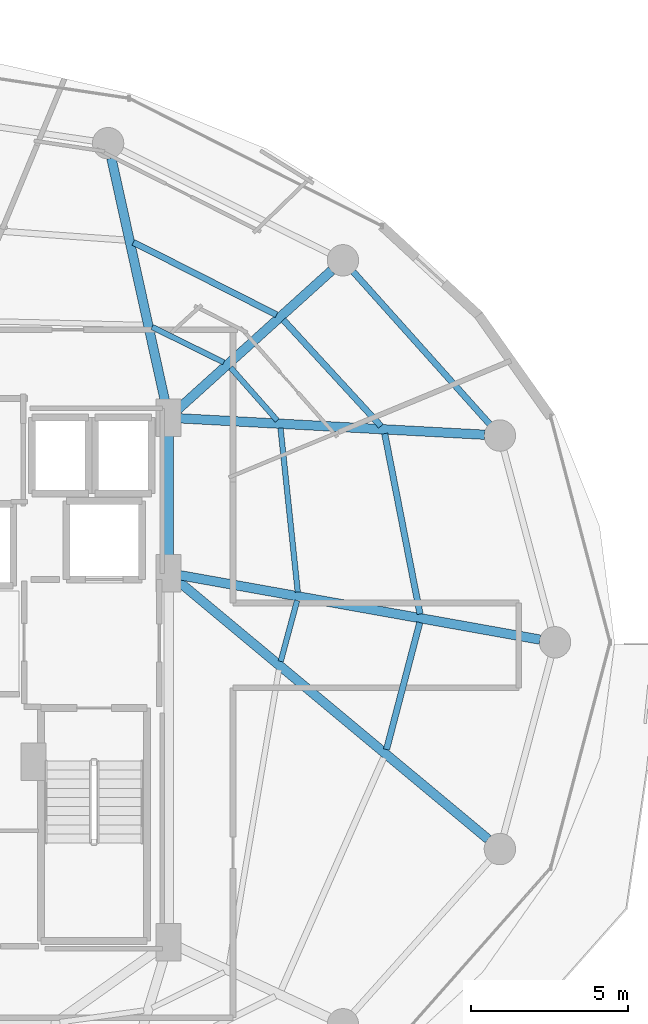
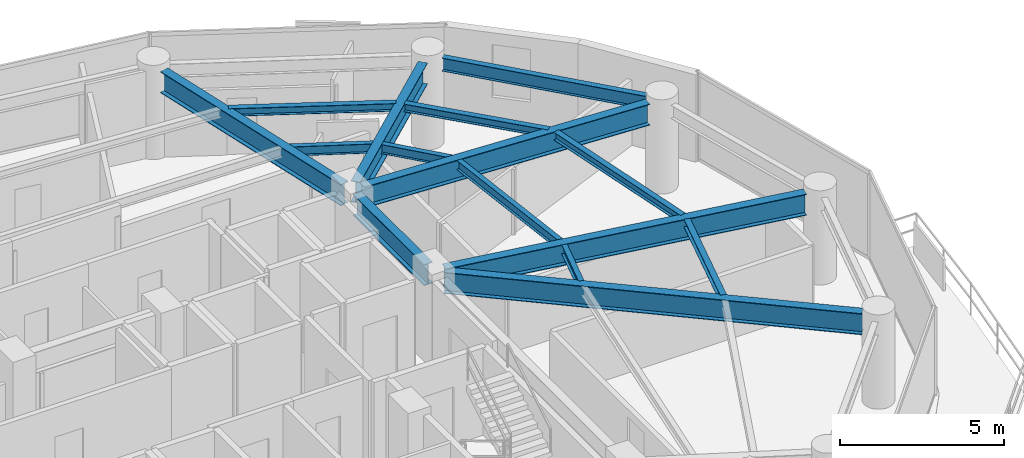
# One storey, part 14 of 29: 15 beams.
"""IFC4 building model written with IfcOpenShell, lengths in metres."""

from ifc_helpers import new_model, si_unit, direction, frame, origin, origin_2d, place, context, subcontext, project, spatial, i_section, extrude, material, material_profile, profile_set, type_object, element, save


model = new_model("IFC4")

# Units and contexts
model_context = context("Model", 3, precision=1e-05, world=origin(), true_north=direction((0.0, 1.0)))
body_context = subcontext(model_context, "Body", "Model", "MODEL_VIEW")
ifc_project = project(units=[si_unit("LENGTHUNIT", "METRE"), si_unit("AREAUNIT", "SQUARE_METRE"), si_unit("VOLUMEUNIT", "CUBIC_METRE"), si_unit("PLANEANGLEUNIT", "RADIAN"), si_unit("MASSUNIT", "GRAM", prefix="KILO")], contexts=[model_context])

# Site, building, storey
site_placement = place(None, origin())
site = spatial("IfcSite", under=ifc_project, at=site_placement, CompositionType="ELEMENT")
building_placement = place(site_placement, origin())
building = spatial("IfcBuilding", under=site, at=building_placement, Name="Vorneva Point Tower", CompositionType="ELEMENT")
storey_placement = place(building_placement, frame((0.0, 0.0, 167.60009765625)))
storey = spatial("IfcBuildingStorey", under=building, at=storey_placement, Name="L45", CompositionType="ELEMENT", Elevation=167.60009765625)

# Beams
ifc_material = material(Name="Steel S355", Category="steel")
ifc_material_profile_1 = material_profile(ifc_material, i_section(OverallWidth=0.300048828125, OverallDepth=0.7880859375, WebThickness=0.014404296875, FlangeThickness=0.02197265625, at=origin_2d()), Name="80Sh1")
ifc_profile_set_1 = profile_set([ifc_material_profile_1], Name="Steel S355")
beam_type_1 = type_object("IfcBeamType", Name="BM-GRD-80Sh1", PredefinedType="USERDEFINED", material=ifc_profile_set_1)
beam_1_placement = place(storey_placement, frame((60.569580078125, 26.0859375, 2.845947265625), z_axis=(-0.984378132756, 0.176067293249, 0.0), x_axis=(-0.176067293249, -0.984378132756, 0.0)))
element("IfcBeam", 1, at=beam_1_placement, inside=storey, type_object=beam_type_1, Name="L45 Radial Primary Girder 01", ObjectType="GIRDER", PredefinedType="USERDEFINED", context=body_context, shape_type="SweptSolid", body=[
    extrude(i_section(OverallWidth=0.300048828125, OverallDepth=0.7880859375, WebThickness=0.014404296875, FlangeThickness=0.02197265625, at=origin_2d()), origin(), (0.0, 0.0, 1.0), 11.667236328125),
])
beam_2_placement = place(storey_placement, frame((58.80810546875, 32.6083984375, 2.845947265625), z_axis=(-0.998554051908, 0.053756910424, 0.0), x_axis=(-0.053756910424, -0.998554051908, 0.0)))
element("IfcBeam", 2, at=beam_2_placement, inside=storey, type_object=beam_type_1, Name="L45 Radial Primary Girder 02", ObjectType="GIRDER", PredefinedType="USERDEFINED", context=body_context, shape_type="SweptSolid", body=[
    extrude(i_section(OverallWidth=0.300048828125, OverallDepth=0.7880859375, WebThickness=0.014404296875, FlangeThickness=0.02197265625, at=origin_2d()), origin(), (0.0, 0.0, 1.0), 9.732666015625),
])
beam_3_placement = place(storey_placement, frame((53.936767578125, 37.835205078125, 2.845947265625), z_axis=(-0.742084379637, -0.670306477292, 0.0), x_axis=(0.670306477292, -0.742084379637, 0.0)))
element("IfcBeam", 3, at=beam_3_placement, inside=storey, type_object=beam_type_1, Name="L45 Radial Primary Girder 03", ObjectType="GIRDER", PredefinedType="USERDEFINED", context=body_context, shape_type="SweptSolid", body=[
    extrude(i_section(OverallWidth=0.300048828125, OverallDepth=0.7880859375, WebThickness=0.014404296875, FlangeThickness=0.02197265625, at=origin_2d()), origin(), (0.0, 0.0, 1.0), 6.649658203125),
])
beam_4_placement = place(storey_placement, frame((46.926025390625, 41.414306640625, 2.845947265625), z_axis=(0.215520500859, -0.976499315775, 0.0), x_axis=(0.976499315775, 0.215520500859, 0.0)))
element("IfcBeam", 4, at=beam_4_placement, inside=storey, type_object=beam_type_1, Name="L45 Radial Primary Girder 04", ObjectType="GIRDER", PredefinedType="USERDEFINED", context=body_context, shape_type="SweptSolid", body=[
    extrude(i_section(OverallWidth=0.300048828125, OverallDepth=0.7880859375, WebThickness=0.014404296875, FlangeThickness=0.02197265625, at=origin_2d()), origin(), (0.0, 0.0, 1.0), 8.123291015625),
])
beam_5_placement = place(storey_placement, frame((58.92041015625, 19.72998046875, 2.845947265625), z_axis=(-0.76841987547, 0.639946009428, 0.0), x_axis=(-0.639946009428, -0.76841987547, 0.0)))
element("IfcBeam", 5, at=beam_5_placement, inside=storey, type_object=beam_type_1, Name="L45 Radial Primary Girder 16", ObjectType="GIRDER", PredefinedType="USERDEFINED", context=body_context, shape_type="SweptSolid", body=[
    extrude(i_section(OverallWidth=0.300048828125, OverallDepth=0.7880859375, WebThickness=0.014404296875, FlangeThickness=0.02197265625, at=origin_2d()), origin(), (0.0, 0.0, 1.0), 12.8955078125),
])
beam_6_placement = place(storey_placement, frame((48.75, 28.52001953125, 2.845947265625), z_axis=(0.0, 1.0, 0.0), x_axis=(-1.0, 0.0, 0.0)))
element("IfcBeam", 6, at=beam_6_placement, inside=storey, type_object=beam_type_1, Name="L45 Core Tie Girder CT4", ObjectType="GIRDER", PredefinedType="USERDEFINED", context=body_context, shape_type="SweptSolid", body=[
    extrude(i_section(OverallWidth=0.300048828125, OverallDepth=0.7880859375, WebThickness=0.014404296875, FlangeThickness=0.02197265625, at=origin_2d()), origin(), (0.0, 0.0, 1.0), 4.31005859375),
])
ifc_material_profile_2 = material_profile(ifc_material, i_section(OverallWidth=0.199951171875, OverallDepth=0.291015625, WebThickness=0.008056640625, FlangeThickness=0.010986328125, at=origin_2d()), Name="30Sh1")
ifc_profile_set_2 = profile_set([ifc_material_profile_2], Name="Steel S355")
beam_type_2 = type_object("IfcBeamType", Name="BM-SEC-30Sh1", PredefinedType="BEAM", material=ifc_profile_set_2)
beam_7_placement = place(storey_placement, frame((56.753173828125, 26.899169921875, 3.094482421875), z_axis=(-0.192242055479, 0.9813475389, 0.0), x_axis=(-0.9813475389, -0.192242055479, 0.0)))
element("IfcBeam", 7, at=beam_7_placement, inside=storey, type_object=beam_type_2, Name="L45 Secondary Floor Beam 1.01", PredefinedType="BEAM", context=body_context, shape_type="SweptSolid", body=[
    extrude(i_section(OverallWidth=0.199951171875, OverallDepth=0.291015625, WebThickness=0.008056640625, FlangeThickness=0.010986328125, at=origin_2d()), origin(), (0.0, 0.0, 1.0), 5.855712890625),
])
beam_8_placement = place(storey_placement, frame((55.507568359375, 32.8828125, 3.094482421875), z_axis=(-0.676639317831, 0.736314629465, 0.0), x_axis=(-0.736314629465, -0.676639317831, 0.0)))
element("IfcBeam", 8, at=beam_8_placement, inside=storey, type_object=beam_type_2, Name="L45 Secondary Floor Beam 1.02", PredefinedType="BEAM", context=body_context, shape_type="SweptSolid", body=[
    extrude(i_section(OverallWidth=0.199951171875, OverallDepth=0.291015625, WebThickness=0.008056640625, FlangeThickness=0.010986328125, at=origin_2d()), origin(), (0.0, 0.0, 1.0), 4.59033203125),
])
beam_9_placement = place(storey_placement, frame((52.185302734375, 36.426513671875, 3.094482421875), z_axis=(-0.892189333363, 0.451661591717, 0.0), x_axis=(-0.451661591717, -0.892189333363, 0.0)))
element("IfcBeam", 9, at=beam_9_placement, inside=storey, type_object=beam_type_2, Name="L45 Secondary Floor Beam 1.03", PredefinedType="BEAM", context=body_context, shape_type="SweptSolid", body=[
    extrude(i_section(OverallWidth=0.199951171875, OverallDepth=0.291015625, WebThickness=0.008056640625, FlangeThickness=0.010986328125, at=origin_2d()), origin(), (0.0, 0.0, 1.0), 5.109130859375),
])
beam_10_placement = place(storey_placement, frame((55.685302734375, 22.5869140625, 3.094482421875), z_axis=(0.253432269417, 0.967353133462, 0.0), x_axis=(-0.967353133462, 0.253432269417, 0.0)))
element("IfcBeam", 10, at=beam_10_placement, inside=storey, type_object=beam_type_2, Name="L45 Secondary Floor Beam 1.16", PredefinedType="BEAM", context=body_context, shape_type="SweptSolid", body=[
    extrude(i_section(OverallWidth=0.199951171875, OverallDepth=0.291015625, WebThickness=0.008056640625, FlangeThickness=0.010986328125, at=origin_2d()), origin(), (0.0, 0.0, 1.0), 4.179931640625),
])
ifc_material_profile_3 = material_profile(ifc_material, i_section(OverallWidth=0.174072265625, OverallDepth=0.345947265625, WebThickness=0.006103515625, FlangeThickness=0.009033203125, at=origin_2d()), Name="35B1")
ifc_profile_set_3 = profile_set([ifc_material_profile_3], Name="Steel S355")
beam_type_3 = type_object("IfcBeamType", Name="BM-SEC-35B1", PredefinedType="BEAM", material=ifc_profile_set_3)
beam_11_placement = place(storey_placement, frame((52.8603515625, 27.599609375, 3.06689453125), z_axis=(-0.104612176701, 0.99451309317, 0.0), x_axis=(-0.99451309317, -0.104612176701, 0.0)))
element("IfcBeam", 11, at=beam_11_placement, inside=storey, type_object=beam_type_3, Name="L45 Secondary Floor Beam 2.01", PredefinedType="BEAM", context=body_context, shape_type="SweptSolid", body=[
    extrude(i_section(OverallWidth=0.174072265625, OverallDepth=0.345947265625, WebThickness=0.006103515625, FlangeThickness=0.009033203125, at=origin_2d()), origin(), (0.0, 0.0, 1.0), 5.2509765625),
])
beam_12_placement = place(storey_placement, frame((52.205322265625, 33.0625, 3.06689453125), z_axis=(-0.661250814478, 0.750164888776, 0.0), x_axis=(-0.750164888776, -0.661250814478, 0.0)))
element("IfcBeam", 12, at=beam_12_placement, inside=storey, type_object=beam_type_3, Name="L45 Secondary Floor Beam 2.02", PredefinedType="BEAM", context=body_context, shape_type="SweptSolid", body=[
    extrude(i_section(OverallWidth=0.174072265625, OverallDepth=0.345947265625, WebThickness=0.006103515625, FlangeThickness=0.009033203125, at=origin_2d()), origin(), (0.0, 0.0, 1.0), 2.243408203125),
])
beam_13_placement = place(storey_placement, frame((50.5068359375, 34.909912109375, 3.06689453125), z_axis=(-0.896525372152, 0.442992389425, 0.0), x_axis=(-0.442992389425, -0.896525372152, 0.0)))
element("IfcBeam", 13, at=beam_13_placement, inside=storey, type_object=beam_type_3, Name="L45 Secondary Floor Beam 2.03", PredefinedType="BEAM", context=body_context, shape_type="SweptSolid", body=[
    extrude(i_section(OverallWidth=0.174072265625, OverallDepth=0.345947265625, WebThickness=0.006103515625, FlangeThickness=0.009033203125, at=origin_2d()), origin(), (0.0, 0.0, 1.0), 2.5478515625),
])
beam_14_placement = place(storey_placement, frame((52.317138671875, 25.392333984375, 3.06689453125), z_axis=(0.260108786392, 0.965579317944, 0.0), x_axis=(-0.965579317944, 0.260108786392, 0.0)))
element("IfcBeam", 14, at=beam_14_placement, inside=storey, type_object=beam_type_3, Name="L45 Secondary Floor Beam 2.16", PredefinedType="BEAM", context=body_context, shape_type="SweptSolid", body=[
    extrude(i_section(OverallWidth=0.174072265625, OverallDepth=0.345947265625, WebThickness=0.006103515625, FlangeThickness=0.009033203125, at=origin_2d()), origin(), (0.0, 0.0, 1.0), 2.005859375),
])
ifc_material_profile_4 = material_profile(ifc_material, i_section(OverallWidth=0.199951171875, OverallDepth=0.491943359375, WebThickness=0.0087890625, FlangeThickness=0.011962890625, at=origin_2d()), Name="50B1")
ifc_profile_set_4 = profile_set([ifc_material_profile_4], Name="Steel S355")
beam_type_4 = type_object("IfcBeamType", Name="BM-SPN-50B1", PredefinedType="SPANDREL", material=ifc_profile_set_4)
beam_15_placement = place(storey_placement, frame((58.971923828125, 32.943603515625, 2.993896484375), z_axis=(-0.667111118975, 0.74495822362, 0.0), x_axis=(-0.74495822362, -0.667111118975, 0.0)))
element("IfcBeam", 15, at=beam_15_placement, inside=storey, type_object=beam_type_4, Name="L45 Perimeter Spandrel Ring Beam 02", PredefinedType="SPANDREL", context=body_context, shape_type="SweptSolid", body=[
    extrude(i_section(OverallWidth=0.199951171875, OverallDepth=0.491943359375, WebThickness=0.0087890625, FlangeThickness=0.011962890625, at=origin_2d()), origin(), (0.0, 0.0, 1.0), 6.52001953125),
])

save(model, "model.ifc")
